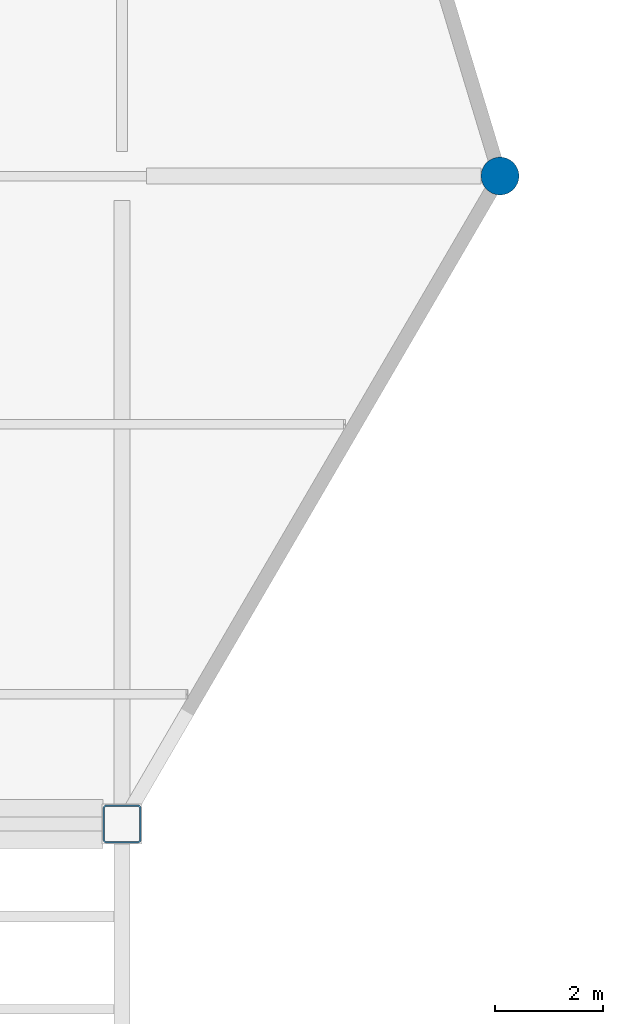
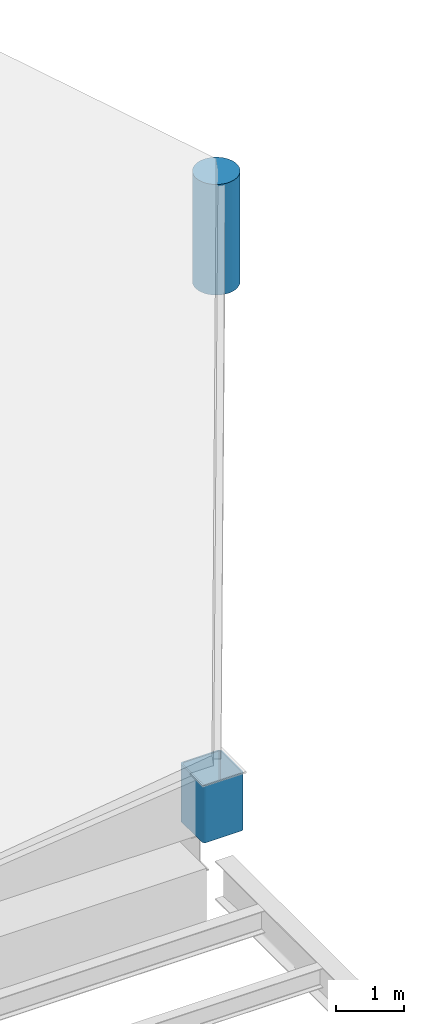
# One storey, part 4 of 77: 2 columns.
"""IFC4 building model written with IfcOpenShell, lengths in metres."""

import ifcopenshell
import ifcopenshell.guid

model = None  # the IFC model being written
_history = None  # IfcOwnerHistory: only IFC2X3 demands one
_inside = {}  # id of a spatial element -> (the spatial element, [elements in it])
_under = {}  # id of a project, library or spatial element -> (it, [spatial elements below it])
_declared = {}  # id of a project -> (the project, [libraries it declares])
_typed = {}  # id of a type object -> (the type object, [elements of that type])
_made_of = {}  # id of a material, layer set ... -> (it, [elements and type objects made of it])


def new_model(schema):
    """Start an empty IFC model of exactly this schema.

    Asked for "IFC4X3", IfcOpenShell would pick the latest addendum, in which some entities
    have other attributes; the version numbers below select the first issue.
    IFC2X3 requires an IfcOwnerHistory on every rooted entity: one is made here for all.
    """
    global model, _history
    if schema == "IFC4X3":
        model = ifcopenshell.file(schema_version=(4, 3, 0, 0))
    else:
        model = ifcopenshell.file(schema=schema)
    _inside.clear()
    _under.clear()
    _declared.clear()
    _typed.clear()
    _made_of.clear()
    _history = None
    if model.schema == "IFC2X3":
        org = make("IfcOrganization", Name="unknown")
        user = make(
            "IfcPersonAndOrganization",
            ThePerson=make("IfcPerson", FamilyName="unknown"),
            TheOrganization=org,
        )
        app = make(
            "IfcApplication",
            ApplicationDeveloper=org,
            Version="unknown",
            ApplicationFullName="unknown",
            ApplicationIdentifier="unknown",
        )
        _history = make(
            "IfcOwnerHistory",
            OwningUser=user,
            OwningApplication=app,
            ChangeAction="ADDED",
            CreationDate=0,
        )
    return model


def make(cls, **values):
    """One entity of the class cls with the attributes given. An attribute that is None is left unset."""
    return model.create_entity(
        cls, **{name: value for name, value in values.items() if value is not None}
    )


def rooted(cls, **values):
    """An entity with a GlobalId (a new one), such as an element, a storey or a relation."""
    return make(cls, GlobalId=ifcopenshell.guid.new(), OwnerHistory=_history, **values)


def si_unit(unit_type, name, prefix=None):
    """IfcSIUnit, for example si_unit("LENGTHUNIT", "METRE", prefix="MILLI")."""
    return make("IfcSIUnit", UnitType=unit_type, Prefix=prefix, Name=name)


def assignment(units):
    """IfcUnitAssignment: the units of a project."""
    return None if units is None else make("IfcUnitAssignment", Units=units)


def point(xyz):
    """IfcCartesianPoint."""
    return None if xyz is None else make("IfcCartesianPoint", Coordinates=xyz)


def direction(xyz):
    """IfcDirection."""
    return None if xyz is None else make("IfcDirection", DirectionRatios=xyz)


def frame(location, z_axis=None, x_axis=None):
    """IfcAxis2Placement3D, a coordinate frame: its origin and axes. An axis left out is left unset."""
    return make(
        "IfcAxis2Placement3D",
        Location=point(location),
        Axis=direction(z_axis),
        RefDirection=direction(x_axis),
    )


def frame_2d(location, x_axis=None):
    """IfcAxis2Placement2D, a coordinate frame in the plane: its origin and x axis."""
    return make(
        "IfcAxis2Placement2D", Location=point(location), RefDirection=direction(x_axis)
    )


def origin():
    """The frame at (0, 0, 0) with its axes left unset."""
    return frame((0.0, 0.0, 0.0))


def origin_2d():
    """The frame at (0, 0) in the plane with its x axis left unset."""
    return frame_2d((0.0, 0.0))


def place(relative_to, where):
    """IfcLocalPlacement: puts the frame where relative to a parent placement (None: the world)."""
    return make(
        "IfcLocalPlacement", PlacementRelTo=relative_to, RelativePlacement=where
    )


def context(
    kind, dimensions, precision=None, world=None, true_north=None, identifier=None
):
    """IfcGeometricRepresentationContext, for example the 3D "Model" context."""
    return make(
        "IfcGeometricRepresentationContext",
        ContextIdentifier=identifier,
        ContextType=kind,
        CoordinateSpaceDimension=dimensions,
        Precision=precision,
        WorldCoordinateSystem=world,
        TrueNorth=true_north,
    )


def subcontext(parent, identifier, kind, view, scale=None):
    """IfcGeometricRepresentationSubContext, for example "Body" below "Model"."""
    return make(
        "IfcGeometricRepresentationSubContext",
        ContextIdentifier=identifier,
        ContextType=kind,
        ParentContext=parent,
        TargetScale=scale,
        TargetView=view,
    )


def project(units=None, contexts=None):
    """IfcProject with its units and contexts."""
    return rooted(
        "IfcProject",
        Name="project",
        RepresentationContexts=contexts,
        UnitsInContext=assignment(units),
    )


def spatial(cls, under=None, at=None, **own):
    """A site, building, storey or space (cls), placed at a placement, below another one or the project."""
    s = rooted(cls, ObjectPlacement=at, **own)
    if under is not None:
        _under.setdefault(under.id(), (under, []))[1].append(s)
    return s


def profile(cls, at=None, kind="AREA", **sizes):
    """A parametric profile (cls). Its sizes go by their IFC names, for example OverallWidth=200.0."""
    return make(cls, ProfileType=kind, Position=at, **sizes)


def hollow_rectangle(**sizes):
    """IfcRectangleHollowProfileDef."""
    return profile("IfcRectangleHollowProfileDef", **sizes)


def circle(**sizes):
    """IfcCircleProfileDef."""
    return profile("IfcCircleProfileDef", **sizes)


def extrude(swept, where, along, depth):
    """IfcExtrudedAreaSolid: the profile swept, set in the frame where, extruded along a direction by depth."""
    return make(
        "IfcExtrudedAreaSolid",
        SweptArea=swept,
        Position=where,
        ExtrudedDirection=direction(along),
        Depth=depth,
    )


def shape(context_of_items, identifier, shape_type, items):
    """IfcShapeRepresentation: the items that make up one representation, for example the "Body"."""
    return make(
        "IfcShapeRepresentation",
        ContextOfItems=context_of_items,
        RepresentationIdentifier=identifier,
        RepresentationType=shape_type,
        Items=items,
    )


def material(Name=None, Category=None):
    """IfcMaterial."""
    return make("IfcMaterial", Name=Name, Category=Category)


def material_profile(
    of_material, cross_section, Name=None, Category=None, Priority=None
):
    """IfcMaterialProfile: a cross section and its material."""
    return make(
        "IfcMaterialProfile",
        Name=Name,
        Material=of_material,
        Profile=cross_section,
        Priority=Priority,
        Category=Category,
    )


def profile_set(profiles, Name=None, composite=None):
    """IfcMaterialProfileSet."""
    return make(
        "IfcMaterialProfileSet",
        Name=Name,
        MaterialProfiles=profiles,
        CompositeProfile=composite,
    )


def made_of(thing, what):
    """Note that an element or type object is made of a material, layer set ...; save() writes the relation."""
    if what is not None:
        _made_of.setdefault(what.id(), (what, []))[1].append(thing)
    return thing


def type_object(cls, material=None, **own):
    """A type object (cls), such as IfcWallType, which elements share."""
    return made_of(rooted(cls, **own), material)


def element(
    cls,
    number,
    at=None,
    inside=None,
    cuts=None,
    type_object=None,
    material=None,
    context=None,
    identifier="Body",
    shape_type=None,
    held_by="IfcProductDefinitionShape",
    body=None,
    shapes=None,
    **own,
):
    """One element of the class cls, such as IfcWall. Its Tag is "e" and its number.

    at: its placement. inside: the storey or other place that contains it. cuts: it is an
    opening in that element (IfcRelVoidsElement). A single representation is given by context,
    identifier, shape_type and body (its items); several are given by shapes. held_by: the class
    of the entity that holds the representations. save() writes the other relations.
    """
    e = rooted(cls, Tag="e%d" % number, ObjectPlacement=at, **own)
    if body is not None:
        shapes = [shape(context, identifier, shape_type, body)]
    if shapes is not None:
        e.Representation = make(held_by, Representations=shapes)
    if inside is not None:
        _inside.setdefault(inside.id(), (inside, []))[1].append(e)
    if cuts is not None:
        rooted(
            "IfcRelVoidsElement", RelatingBuildingElement=cuts, RelatedOpeningElement=e
        )
    if type_object is not None:
        _typed.setdefault(type_object.id(), (type_object, []))[1].append(e)
    return made_of(e, material)


def aggregate(whole, parts):
    """IfcRelAggregates: a whole, such as a stair, and the parts it consists of."""
    return rooted("IfcRelAggregates", RelatingObject=whole, RelatedObjects=parts)


def save(model, path):
    """Write the relations noted so far, then the file.

    IfcRelAggregates (storeys below a building ...), IfcRelContainedInSpatialStructure (elements
    in a storey), IfcRelDefinesByType, IfcRelAssociatesMaterial and IfcRelDeclares: one each for
    every whole, place, type object, material and project.
    """
    for whole, parts in _under.values():
        aggregate(whole, parts)
    for where, things in _inside.values():
        rooted(
            "IfcRelContainedInSpatialStructure",
            RelatedElements=things,
            RelatingStructure=where,
        )
    for kind, things in _typed.values():
        rooted("IfcRelDefinesByType", RelatedObjects=things, RelatingType=kind)
    for what, things in _made_of.values():
        rooted("IfcRelAssociatesMaterial", RelatedObjects=things, RelatingMaterial=what)
    for by, libraries in _declared.values():
        rooted("IfcRelDeclares", RelatingContext=by, RelatedDefinitions=libraries)
    model.write(path)


model = new_model("IFC4")

# Units and contexts
model_context = context("Model", 3, precision=1e-05, world=origin(), true_north=direction((0.0, 1.0)))
body_context = subcontext(model_context, "Body", "Model", "MODEL_VIEW")
ifc_project = project(units=[si_unit("LENGTHUNIT", "METRE"), si_unit("AREAUNIT", "SQUARE_METRE"), si_unit("VOLUMEUNIT", "CUBIC_METRE"), si_unit("PLANEANGLEUNIT", "RADIAN"), si_unit("MASSUNIT", "GRAM", prefix="KILO")], contexts=[model_context])

# Site, building, storey
site_placement = place(None, origin())
site = spatial("IfcSite", under=ifc_project, at=site_placement, CompositionType="ELEMENT")
building_placement = place(site_placement, origin())
building = spatial("IfcBuilding", under=site, at=building_placement, Name="Larkvane Passage Sports Hall", CompositionType="ELEMENT")
storey_placement = place(building_placement, frame((0.0, 0.0, 22.199951171875)))
storey = spatial("IfcBuildingStorey", under=building, at=storey_placement, Name="RF", CompositionType="ELEMENT", Elevation=22.199951171875)

# Columns
ifc_material_1 = material(Name="Concrete C40/50", Category="concrete")
ifc_material_profile_1 = material_profile(ifc_material_1, circle(Radius=0.35009765625, at=origin_2d()), Name="RC-CIR-700")
ifc_profile_set_1 = profile_set([ifc_material_profile_1], Name="Concrete C40/50")
column_type_1 = type_object("IfcColumnType", Name="COL-CIR-700", PredefinedType="COLUMN", material=ifc_profile_set_1)
column_1_placement = place(storey_placement, frame((152.60009765625, 75.60009765625, 0.0), z_axis=(0.0, 0.0, 1.0), x_axis=(1.0, 0.0, 0.0)))
element("IfcColumn", 1, at=column_1_placement, inside=storey, type_object=column_type_1, Name="Studio roof ridge column 20J", PredefinedType="COLUMN", context=body_context, shape_type="SweptSolid", body=[
    extrude(circle(Radius=0.35009765625, at=origin_2d()), origin(), (0.0, 0.0, 1.0), 1.97998046875),
])
ifc_material_2 = material(Name="Steel S460N", Category="steel")
ifc_material_profile_2 = material_profile(ifc_material_2, hollow_rectangle(XDim=0.699951171875, YDim=0.699951171875, WallThickness=0.028076171875, InnerFilletRadius=0.028076171875, OuterFilletRadius=0.055908203125, at=origin_2d()), Name="BOX-700x700x28")
ifc_profile_set_2 = profile_set([ifc_material_profile_2], Name="Steel S460N")
column_type_2 = type_object("IfcColumnType", Name="COL-STL-BOX700", PredefinedType="COLUMN", material=ifc_profile_set_2)
column_2_placement = place(storey_placement, frame((145.60009765625, 63.60009765625, 0.0), z_axis=(0.0, 0.0, 1.0), x_axis=(1.0, 0.0, 0.0)))
element("IfcColumn", 2, at=column_2_placement, inside=storey, type_object=column_type_2, Name="Studio roof ridge column 19H", PredefinedType="COLUMN", context=body_context, shape_type="SweptSolid", body=[
    extrude(hollow_rectangle(XDim=0.699951171875, YDim=0.699951171875, WallThickness=0.028076171875, InnerFilletRadius=0.028076171875, OuterFilletRadius=0.055908203125, at=origin_2d()), origin(), (0.0, 0.0, 1.0), 1.024169921875),
])

save(model, "model.ifc")
